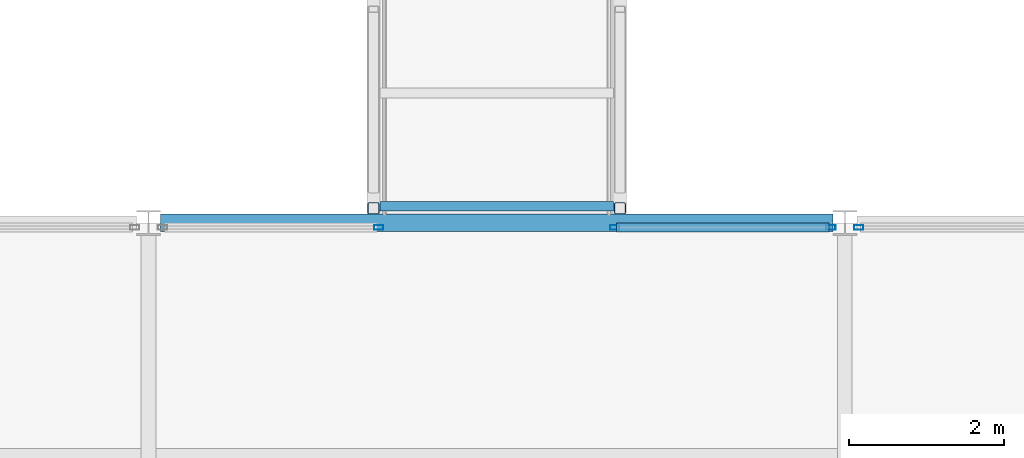
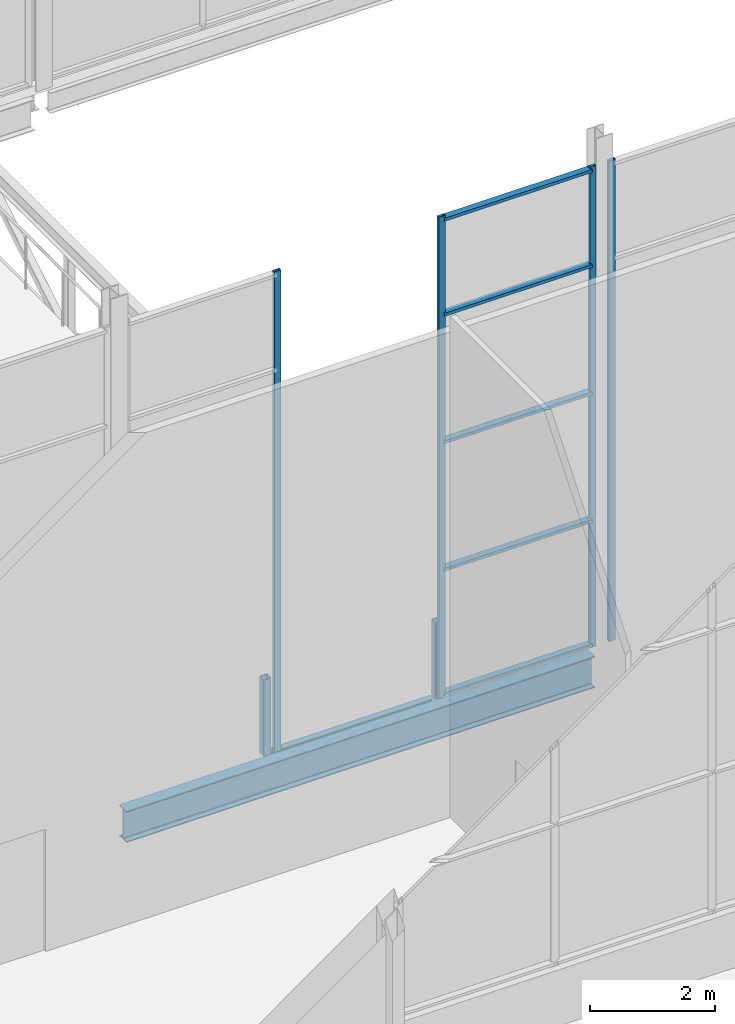
# One storey, part 23 of 111: 11 members, 2 beams, 3 elements without a shape of their own.
"""IFC4 building model written with IfcOpenShell, lengths in metres."""

from ifc_helpers import new_model, si_unit, direction, frame, origin, origin_2d, place, context, subcontext, project, spatial, hollow_rectangle, i_section, extrude, material, layer, layer_set, material_profile, profile_set, type_object, element, aggregate, save


model = new_model("IFC4")

# Units and contexts
model_context = context("Model", 3, precision=1e-05, world=origin(), true_north=direction((0.0, 1.0)))
body_context = subcontext(model_context, "Body", "Model", "MODEL_VIEW")
ifc_project = project(units=[si_unit("LENGTHUNIT", "METRE"), si_unit("AREAUNIT", "SQUARE_METRE"), si_unit("VOLUMEUNIT", "CUBIC_METRE"), si_unit("PLANEANGLEUNIT", "RADIAN"), si_unit("MASSUNIT", "GRAM", prefix="KILO")], contexts=[model_context])

# Site, building, storey
site_placement = place(None, origin())
site = spatial("IfcSite", under=ifc_project, at=site_placement, CompositionType="ELEMENT")
building_placement = place(site_placement, origin())
building = spatial("IfcBuilding", under=site, at=building_placement, Name="Shorebreak Coast Museum", CompositionType="ELEMENT")
storey_placement = place(building_placement, frame((0.0, 0.0, 16.0)))
storey = spatial("IfcBuildingStorey", under=building, at=storey_placement, Name="L03", CompositionType="ELEMENT", Elevation=16.0)

# Beam
ifc_material_1 = material(Name="Steel Grade 300", Category="steel")
ifc_material_profile_1 = material_profile(ifc_material_1, i_section(OverallWidth=0.1240234375, OverallDepth=0.248046875, WebThickness=0.0048828125, FlangeThickness=0.008056640625, FilletRadius=0.011962890625, at=origin_2d()), Name="250UB25.7")
ifc_profile_set_1 = profile_set([ifc_material_profile_1], Name="Steel Grade 300")
beam_type_1 = type_object("IfcBeamType", Name="Atrium bridge cross beam 250UB25.7", PredefinedType="BEAM", material=ifc_profile_set_1)
beam_1_placement = place(storey_placement, frame((87.010009765625, 63.214599609375, -0.299072265625), z_axis=(-1.0, 0.0, 0.0), x_axis=(0.0, -1.0, 0.0)))
element("IfcBeam", 1, at=beam_1_placement, inside=storey, type_object=beam_type_1, Name="Atrium bridge cross beam BR2 01", PredefinedType="BEAM", context=body_context, shape_type="SweptSolid", body=[
    extrude(i_section(OverallWidth=0.1240234375, OverallDepth=0.248046875, WebThickness=0.0048828125, FlangeThickness=0.008056640625, FilletRadius=0.011962890625, at=origin_2d()), origin(), (0.0, 0.0, 1.0), 3.02001953125),
])

# Members
ifc_material_2 = material(Name="Steel Grade C450L0", Category="steel")
ifc_material_profile_2 = material_profile(ifc_material_2, hollow_rectangle(XDim=0.14990234375, YDim=0.14990234375, WallThickness=0.009033203125, InnerFilletRadius=0.013427734375, OuterFilletRadius=0.0224609375, at=origin_2d()), Name="150x150x9.0 SHS")
ifc_profile_set_2 = profile_set([ifc_material_profile_2], Name="Steel Grade C450L0")
member_type_1 = type_object("IfcMemberType", Name="Atrium bridge truss strut 150x150x9.0 SHS", PredefinedType="STRUT", material=ifc_profile_set_2)
for number, where, z_axis, x_axis, name in (
    (2, (87.093017578125, 63.189453125, -0.175048828125), (0.0, 0.0, 1.0), (1.0, 0.0, 0.0), "Atrium bridge truss BR2 side A strut V01"),
    (3, (83.906982421875, 63.189453125, -0.175048828125), (0.0, 0.0, 1.0), (1.0, 0.0, 0.0), "Atrium bridge truss BR2 side B strut V01"),
):
    element("IfcMember", number, at=place(storey_placement, frame(where, z_axis=z_axis, x_axis=x_axis)), inside=storey, type_object=member_type_1, Name=name, PredefinedType="STRUT", context=body_context, shape_type="SweptSolid", body=[
        extrude(hollow_rectangle(XDim=0.14990234375, YDim=0.14990234375, WallThickness=0.009033203125, InnerFilletRadius=0.013427734375, OuterFilletRadius=0.0224609375, at=origin_2d()), origin(), (0.0, 0.0, 1.0), 1.492919921875),
    ])

# Beam
ifc_material_3 = material(Name="Steel Grade 300", Category="steel")
ifc_material_profile_3 = material_profile(ifc_material_3, i_section(OverallWidth=0.22900390625, OverallDepth=0.612060546875, WebThickness=0.011962890625, FlangeThickness=0.01953125, FilletRadius=0.013916015625, at=origin_2d()), Name="610UB125")
ifc_profile_set_3 = profile_set([ifc_material_profile_3], Name="Steel Grade 300")
beam_type_2 = type_object("IfcBeamType", Name="Bearing girder east-west 610UB125", PredefinedType="BEAM", material=ifc_profile_set_3)
beam_2_placement = place(storey_placement, frame((81.155517578125, 63.0, -0.48095703125), z_axis=(1.0, 0.0, 0.0), x_axis=(0.0, 1.0, 0.0)))
element("IfcBeam", 4, at=beam_2_placement, inside=storey, type_object=beam_type_2, Name="Bearing girder east-west L03 10H", PredefinedType="BEAM", context=body_context, shape_type="SweptSolid", body=[
    extrude(i_section(OverallWidth=0.22900390625, OverallDepth=0.612060546875, WebThickness=0.011962890625, FlangeThickness=0.01953125, FilletRadius=0.013916015625, at=origin_2d()), origin(), (0.0, 0.0, 1.0), 8.68896484375),
])

# Curtain wall, member
ifc_material_4 = material(Name="Aluminium", Category="aluminium")
ifc_layer = layer(ifc_material_4, 0.1201171875)
ifc_layer_set = layer_set([ifc_layer], Name="Aluminium")
curtain_wall_type = type_object("IfcCurtainWallType", Name="Atrium fire screen", PredefinedType="NOTDEFINED", material=ifc_layer_set)
curtain_wall_1_placement = place(storey_placement, origin())
curtain_wall_1 = element("IfcCurtainWall", 5, at=curtain_wall_1_placement, inside=storey, type_object=curtain_wall_type, Name="Atrium screen L03 S 35", PredefinedType="NOTDEFINED")
ifc_material_5 = material(Name="Aluminium", Category="aluminium")
ifc_material_profile_4 = material_profile(ifc_material_5, hollow_rectangle(XDim=0.06005859375, YDim=0.1201171875, WallThickness=0.00341796875, at=origin_2d()), Name="AL 120x60 RHS")
ifc_profile_set_4 = profile_set([ifc_material_profile_4], Name="Aluminium")
member_type_2 = type_object("IfcMemberType", Name="Screen mullion 50 x 120", PredefinedType="MULLION", material=ifc_profile_set_4)
member_1_placement = place(storey_placement, frame((83.97509765625, 62.93994140625, 0.0), z_axis=(0.0, 0.0, 1.0), x_axis=(0.0, 1.0, 0.0)))
member_1 = element("IfcMember", 6, at=member_1_placement, type_object=member_type_2, Name="CW6 mullion 2", PredefinedType="MULLION", context=body_context, shape_type="SweptSolid", body=[
    extrude(hollow_rectangle(XDim=0.06005859375, YDim=0.1201171875, WallThickness=0.00341796875, at=origin_2d()), origin(), (0.0, 0.0, 1.0), 9.42236328125),
])
aggregate(curtain_wall_1, [member_1])

# Curtain wall, members
curtain_wall_2_placement = place(storey_placement, origin())
curtain_wall_2 = element("IfcCurtainWall", 7, at=curtain_wall_2_placement, inside=storey, type_object=curtain_wall_type, Name="Atrium screen L03 S 36", PredefinedType="NOTDEFINED")
member_2_placement = place(storey_placement, frame((87.02490234375, 62.93994140625, 0.0), z_axis=(0.0, 0.0, 1.0), x_axis=(0.0, 1.0, 0.0)))
member_2 = element("IfcMember", 8, at=member_2_placement, type_object=member_type_2, Name="CW4 mullion 1", PredefinedType="MULLION", context=body_context, shape_type="SweptSolid", body=[
    extrude(hollow_rectangle(XDim=0.06005859375, YDim=0.1201171875, WallThickness=0.00341796875, at=origin_2d()), origin(), (0.0, 0.0, 1.0), 9.42236328125),
])
member_3_placement = place(storey_placement, frame((89.820556640625, 62.93994140625, 0.0), z_axis=(0.0, 0.0, 1.0), x_axis=(0.0, 1.0, 0.0)))
member_3 = element("IfcMember", 9, at=member_3_placement, type_object=member_type_2, Name="CW4 mullion 2", PredefinedType="MULLION", context=body_context, shape_type="SweptSolid", body=[
    extrude(hollow_rectangle(XDim=0.06005859375, YDim=0.1201171875, WallThickness=0.00341796875, at=origin_2d()), origin(), (0.0, 0.0, 1.0), 9.42236328125),
])

# Curtain wall, member
curtain_wall_3_placement = place(storey_placement, origin())
curtain_wall_3 = element("IfcCurtainWall", 10, at=curtain_wall_3_placement, inside=storey, type_object=curtain_wall_type, Name="Atrium screen L03 S 37", PredefinedType="NOTDEFINED")
member_4_placement = place(storey_placement, frame((90.179443359375, 62.93994140625, 0.0), z_axis=(0.0, 0.0, 1.0), x_axis=(0.0, 1.0, 0.0)))
member_4 = element("IfcMember", 11, at=member_4_placement, type_object=member_type_2, Name="CW5 mullion 1", PredefinedType="MULLION", context=body_context, shape_type="SweptSolid", body=[
    extrude(hollow_rectangle(XDim=0.06005859375, YDim=0.1201171875, WallThickness=0.00341796875, at=origin_2d()), origin(), (0.0, 0.0, 1.0), 9.42236328125),
])
aggregate(curtain_wall_3, [member_4])

# Member
ifc_material_6 = material(Name="Aluminium", Category="aluminium")
ifc_material_profile_5 = material_profile(ifc_material_6, hollow_rectangle(XDim=0.1201171875, YDim=0.06005859375, WallThickness=0.00341796875, at=origin_2d()), Name="AL 60x120 RHS")
ifc_profile_set_5 = profile_set([ifc_material_profile_5], Name="Aluminium")
member_type_3 = type_object("IfcMemberType", Name="Screen transom 120 x 50", PredefinedType="USERDEFINED", material=ifc_profile_set_5)
member_5_placement = place(storey_placement, frame((87.050048828125, 62.93994140625, 0.06005859375), z_axis=(1.0, 0.0, 0.0), x_axis=(0.0, 1.0, 0.0)))
member_5 = element("IfcMember", 12, at=member_5_placement, type_object=member_type_3, Name="CW4 transom 1.1", ObjectType="TRANSOM", PredefinedType="USERDEFINED", context=body_context, shape_type="SweptSolid", body=[
    extrude(hollow_rectangle(XDim=0.1201171875, YDim=0.06005859375, WallThickness=0.00341796875, at=origin_2d()), origin(), (0.0, 0.0, 1.0), 2.745361328125),
])

member_6_placement = place(storey_placement, frame((87.050048828125, 62.93994140625, 2.5), z_axis=(1.0, 0.0, 0.0), x_axis=(0.0, 1.0, 0.0)))
member_6 = element("IfcMember", 13, at=member_6_placement, type_object=member_type_3, Name="CW4 transom 1.2", ObjectType="TRANSOM", PredefinedType="USERDEFINED", context=body_context, shape_type="SweptSolid", body=[
    extrude(hollow_rectangle(XDim=0.1201171875, YDim=0.06005859375, WallThickness=0.00341796875, at=origin_2d()), origin(), (0.0, 0.0, 1.0), 2.745361328125),
])

member_7_placement = place(storey_placement, frame((87.050048828125, 62.93994140625, 5.0), z_axis=(1.0, 0.0, 0.0), x_axis=(0.0, 1.0, 0.0)))
member_7 = element("IfcMember", 14, at=member_7_placement, type_object=member_type_3, Name="CW4 transom 1.3", ObjectType="TRANSOM", PredefinedType="USERDEFINED", context=body_context, shape_type="SweptSolid", body=[
    extrude(hollow_rectangle(XDim=0.1201171875, YDim=0.06005859375, WallThickness=0.00341796875, at=origin_2d()), origin(), (0.0, 0.0, 1.0), 2.745361328125),
])

member_8_placement = place(storey_placement, frame((87.050048828125, 62.93994140625, 7.5), z_axis=(1.0, 0.0, 0.0), x_axis=(0.0, 1.0, 0.0)))
member_8 = element("IfcMember", 15, at=member_8_placement, type_object=member_type_3, Name="CW4 transom 1.4", ObjectType="TRANSOM", PredefinedType="USERDEFINED", context=body_context, shape_type="SweptSolid", body=[
    extrude(hollow_rectangle(XDim=0.1201171875, YDim=0.06005859375, WallThickness=0.00341796875, at=origin_2d()), origin(), (0.0, 0.0, 1.0), 2.745361328125),
])

member_9_placement = place(storey_placement, frame((87.050048828125, 62.93994140625, 9.3623046875), z_axis=(1.0, 0.0, 0.0), x_axis=(0.0, 1.0, 0.0)))
member_9 = element("IfcMember", 16, at=member_9_placement, type_object=member_type_3, Name="CW4 transom 1.5", ObjectType="TRANSOM", PredefinedType="USERDEFINED", context=body_context, shape_type="SweptSolid", body=[
    extrude(hollow_rectangle(XDim=0.1201171875, YDim=0.06005859375, WallThickness=0.00341796875, at=origin_2d()), origin(), (0.0, 0.0, 1.0), 2.745361328125),
])

aggregate(curtain_wall_2, [member_2, member_3, member_5, member_6, member_7, member_8, member_9])

save(model, "model.ifc")
